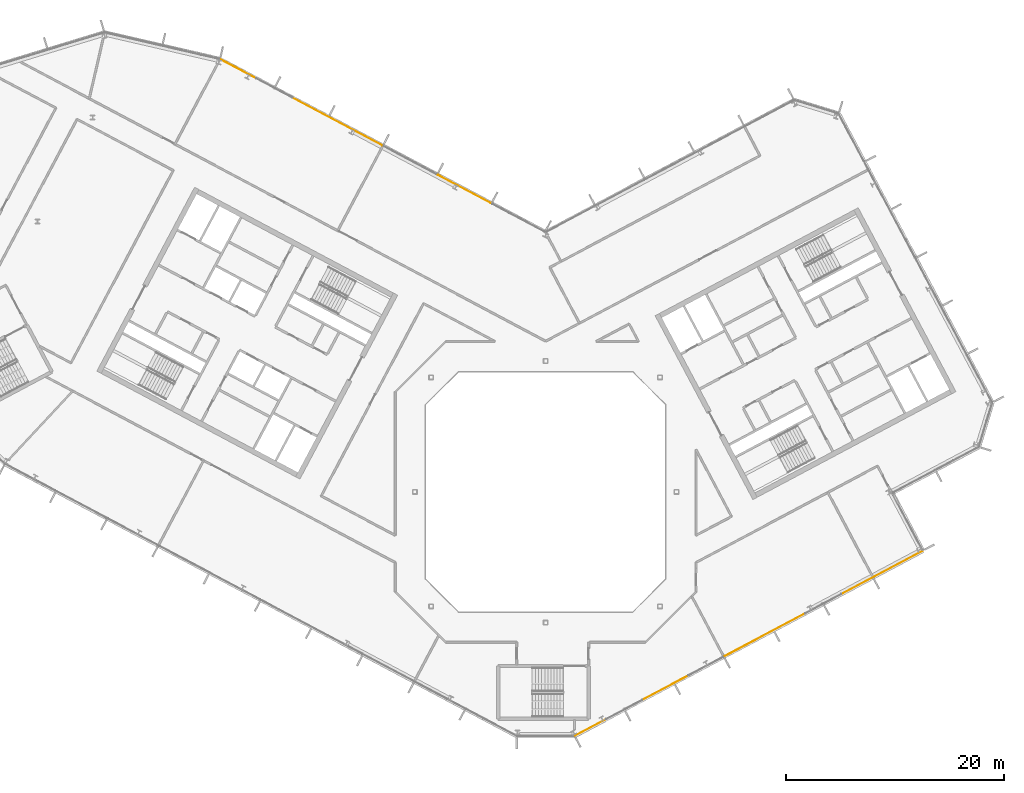
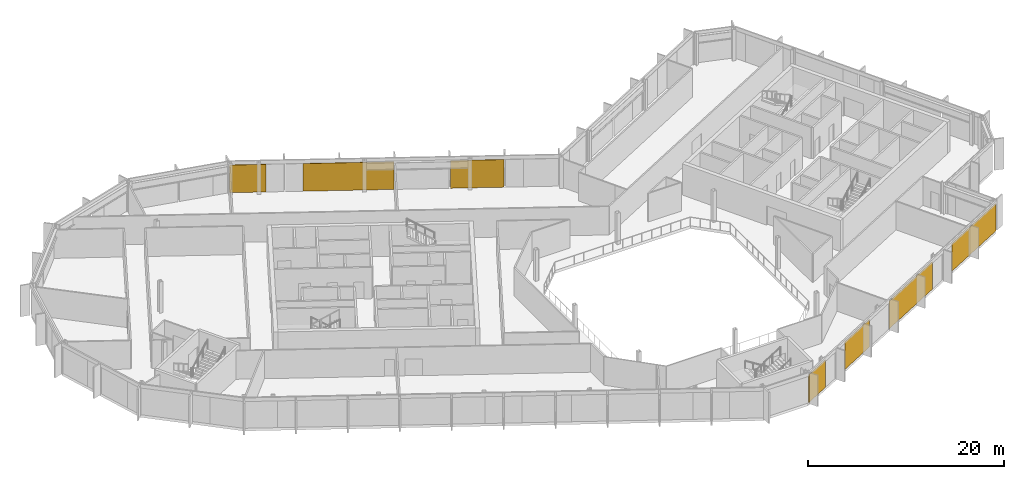
# One storey, part 23 of 25: 7 coverings, 2 elements without a shape of their own.
"""IFC4 building model written with IfcOpenShell, lengths in metres."""

from ifc_helpers import new_model, si_unit, direction, frame, origin, origin_2d, place, context, subcontext, project, spatial, rectangle, extrude, material, layer, layer_set, type_object, element, aggregate, save


model = new_model("IFC4")

# Units and contexts
model_context = context("Model", 3, precision=1e-05, world=origin(), true_north=direction((0.0, 1.0)))
body_context = subcontext(model_context, "Body", "Model", "MODEL_VIEW")
ifc_project = project(units=[si_unit("LENGTHUNIT", "METRE"), si_unit("AREAUNIT", "SQUARE_METRE"), si_unit("VOLUMEUNIT", "CUBIC_METRE"), si_unit("PLANEANGLEUNIT", "RADIAN"), si_unit("MASSUNIT", "GRAM", prefix="KILO")], contexts=[model_context])

# Site, building, storey
site_placement = place(None, origin())
site = spatial("IfcSite", under=ifc_project, at=site_placement, CompositionType="ELEMENT")
building_placement = place(site_placement, origin())
building = spatial("IfcBuilding", under=site, at=building_placement, Name="Cormorant Relay Tower", CompositionType="ELEMENT")
storey_placement = place(building_placement, frame((0.0, 0.0, 273.60009765625)))
storey = spatial("IfcBuildingStorey", under=building, at=storey_placement, Name="L61", CompositionType="ELEMENT", Elevation=273.60009765625)

# Curtain wall, coverings
ifc_material_1 = material(Name="Aluminium 6063-T6 anodised bronze", Category="aluminium")
ifc_layer_1 = layer(ifc_material_1, 0.199951171875)
ifc_layer_set_1 = layer_set([ifc_layer_1], Name="CW1 unitised bronze curtain wall with vertical fins")
curtain_wall_type = type_object("IfcCurtainWallType", Name="CW1 unitised bronze curtain wall with vertical fins", PredefinedType="NOTDEFINED", material=ifc_layer_set_1)
curtain_wall_1_placement = place(storey_placement, origin())
curtain_wall_1 = element("IfcCurtainWall", 1, at=curtain_wall_1_placement, inside=storey, type_object=curtain_wall_type, Name="CW1 curtain wall 2", PredefinedType="NOTDEFINED")
ifc_material_2 = material(Name="Pale bronze anodised aluminium insulated panel", Category="aluminium")
ifc_layer_2 = layer(ifc_material_2, 0.0400390625)
ifc_layer_set_2 = layer_set([ifc_layer_2], Name="CW1 pale bronze insulated panel 40")
covering_type = type_object("IfcCoveringType", Name="CW1 pale bronze insulated panel 40", PredefinedType="CLADDING", material=ifc_layer_set_2)
covering_1_placement = place(storey_placement, frame((4.14453125, -21.60302734375, 0.0), z_axis=(0.0, 0.0, 1.0), x_axis=(0.882947592859, 0.469471562786, 0.0)))
covering_1 = element("IfcCovering", 2, at=covering_1_placement, type_object=covering_type, Name="CW1 panel S00", PredefinedType="CLADDING", context=body_context, shape_type="SweptSolid", body=[
    extrude(rectangle(XDim=3.216552734375, YDim=0.0400390625, at=origin_2d()), origin(), (0.0, 0.0, 1.0), 3.449951171875),
])
covering_2_placement = place(storey_placement, frame((10.9873046875, -17.964599609375, 0.0), z_axis=(0.0, 0.0, 1.0), x_axis=(0.882947592859, 0.469471562786, 0.0)))
covering_2 = element("IfcCovering", 3, at=covering_2_placement, type_object=covering_type, Name="CW1 panel S03", PredefinedType="CLADDING", context=body_context, shape_type="SweptSolid", body=[
    extrude(rectangle(XDim=4.783203125, YDim=0.0400390625, at=origin_2d()), origin(), (0.0, 0.0, 1.0), 3.449951171875),
])
covering_3_placement = place(storey_placement, frame((20.11083984375, -13.113525390625, 0.0), z_axis=(0.0, 0.0, 1.0), x_axis=(0.882947592859, 0.469471562786, 0.0)))
covering_3 = element("IfcCovering", 4, at=covering_3_placement, type_object=covering_type, Name="CW1 panel S05", PredefinedType="CLADDING", context=body_context, shape_type="SweptSolid", body=[
    extrude(rectangle(XDim=8.383056640625, YDim=0.0400390625, at=origin_2d()), origin(), (0.0, 0.0, 1.0), 3.449951171875),
])
covering_4_placement = place(storey_placement, frame((30.856689453125, -7.39990234375, 0.0), z_axis=(0.0, 0.0, 1.0), x_axis=(0.882947592859, 0.469471562786, 0.0)))
covering_4 = element("IfcCovering", 5, at=covering_4_placement, type_object=covering_type, Name="CW1 panel S08", PredefinedType="CLADDING", context=body_context, shape_type="SweptSolid", body=[
    extrude(rectangle(XDim=8.4580078125, YDim=0.0400390625, at=origin_2d()), origin(), (0.0, 0.0, 1.0), 3.449951171875),
])
aggregate(curtain_wall_1, [covering_1, covering_2, covering_3, covering_4])

curtain_wall_2_placement = place(storey_placement, origin())
curtain_wall_2 = element("IfcCurtainWall", 6, at=curtain_wall_2_placement, inside=storey, type_object=curtain_wall_type, Name="CW1 curtain wall 9", PredefinedType="NOTDEFINED")
covering_5_placement = place(storey_placement, frame((-7.458984375, 27.772705078125, 0.0), z_axis=(0.0, 0.0, 1.0), x_axis=(-0.882947592859, 0.469471562786, 0.0)))
covering_5 = element("IfcCovering", 7, at=covering_5_placement, type_object=covering_type, Name="CW1 panel S02", PredefinedType="CLADDING", context=body_context, shape_type="SweptSolid", body=[
    extrude(rectangle(XDim=5.489013671875, YDim=0.0400390625, at=origin_2d()), origin(), (0.0, 0.0, 1.0), 3.449951171875),
])
covering_6_placement = place(storey_placement, frame((-19.11181640625, 33.968505859375, 0.0), z_axis=(0.0, 0.0, 1.0), x_axis=(-0.882947592859, 0.469471562786, 0.0)))
covering_6 = element("IfcCovering", 8, at=covering_6_placement, type_object=covering_type, Name="CW1 panel S04", PredefinedType="CLADDING", context=body_context, shape_type="SweptSolid", body=[
    extrude(rectangle(XDim=9.327880859375, YDim=0.0400390625, at=origin_2d()), origin(), (0.0, 0.0, 1.0), 3.449951171875),
])
covering_7_placement = place(storey_placement, frame((-28.20263671875, 38.80224609375, 0.0), z_axis=(0.0, 0.0, 1.0), x_axis=(-0.882947592859, 0.469471562786, 0.0)))
covering_7 = element("IfcCovering", 9, at=covering_7_placement, type_object=covering_type, Name="CW1 panel S07", PredefinedType="CLADDING", context=body_context, shape_type="SweptSolid", body=[
    extrude(rectangle(XDim=3.763916015625, YDim=0.0400390625, at=origin_2d()), origin(), (0.0, 0.0, 1.0), 3.449951171875),
])
aggregate(curtain_wall_2, [covering_5, covering_6, covering_7])

save(model, "model.ifc")
